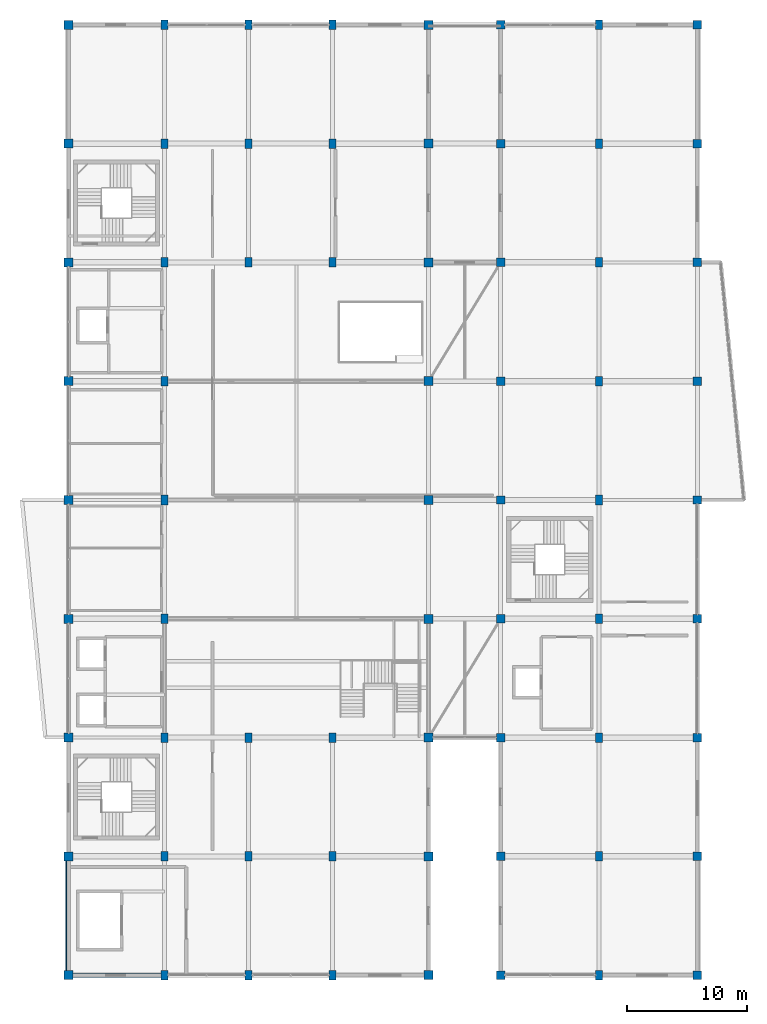
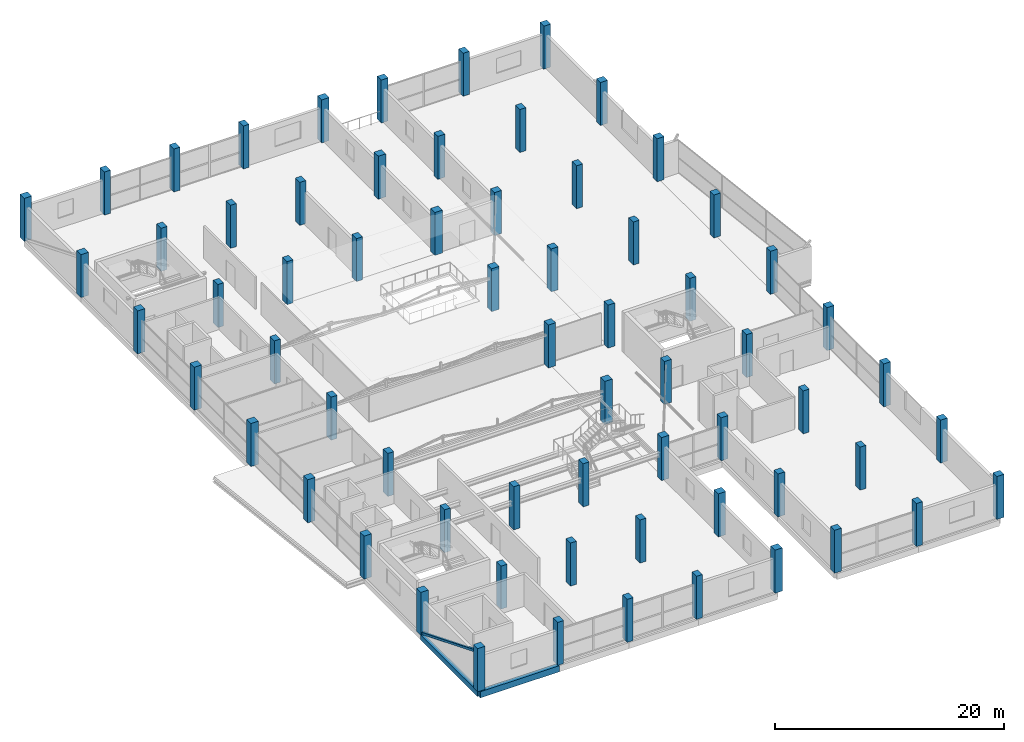
# One storey, part 1 of 55: 66 columns, 2 beams, 1 member.
"""IFC4 building model written with IfcOpenShell, lengths in metres."""

import ifcopenshell
import ifcopenshell.guid

model = None  # the IFC model being written
_history = None  # IfcOwnerHistory: only IFC2X3 demands one
_inside = {}  # id of a spatial element -> (the spatial element, [elements in it])
_under = {}  # id of a project, library or spatial element -> (it, [spatial elements below it])
_declared = {}  # id of a project -> (the project, [libraries it declares])
_typed = {}  # id of a type object -> (the type object, [elements of that type])
_made_of = {}  # id of a material, layer set ... -> (it, [elements and type objects made of it])


def new_model(schema):
    """Start an empty IFC model of exactly this schema.

    Asked for "IFC4X3", IfcOpenShell would pick the latest addendum, in which some entities
    have other attributes; the version numbers below select the first issue.
    IFC2X3 requires an IfcOwnerHistory on every rooted entity: one is made here for all.
    """
    global model, _history
    if schema == "IFC4X3":
        model = ifcopenshell.file(schema_version=(4, 3, 0, 0))
    else:
        model = ifcopenshell.file(schema=schema)
    _inside.clear()
    _under.clear()
    _declared.clear()
    _typed.clear()
    _made_of.clear()
    _history = None
    if model.schema == "IFC2X3":
        org = make("IfcOrganization", Name="unknown")
        user = make(
            "IfcPersonAndOrganization",
            ThePerson=make("IfcPerson", FamilyName="unknown"),
            TheOrganization=org,
        )
        app = make(
            "IfcApplication",
            ApplicationDeveloper=org,
            Version="unknown",
            ApplicationFullName="unknown",
            ApplicationIdentifier="unknown",
        )
        _history = make(
            "IfcOwnerHistory",
            OwningUser=user,
            OwningApplication=app,
            ChangeAction="ADDED",
            CreationDate=0,
        )
    return model


def make(cls, **values):
    """One entity of the class cls with the attributes given. An attribute that is None is left unset."""
    return model.create_entity(
        cls, **{name: value for name, value in values.items() if value is not None}
    )


def rooted(cls, **values):
    """An entity with a GlobalId (a new one), such as an element, a storey or a relation."""
    return make(cls, GlobalId=ifcopenshell.guid.new(), OwnerHistory=_history, **values)


def si_unit(unit_type, name, prefix=None):
    """IfcSIUnit, for example si_unit("LENGTHUNIT", "METRE", prefix="MILLI")."""
    return make("IfcSIUnit", UnitType=unit_type, Prefix=prefix, Name=name)


def assignment(units):
    """IfcUnitAssignment: the units of a project."""
    return None if units is None else make("IfcUnitAssignment", Units=units)


def point(xyz):
    """IfcCartesianPoint."""
    return None if xyz is None else make("IfcCartesianPoint", Coordinates=xyz)


def direction(xyz):
    """IfcDirection."""
    return None if xyz is None else make("IfcDirection", DirectionRatios=xyz)


def frame(location, z_axis=None, x_axis=None):
    """IfcAxis2Placement3D, a coordinate frame: its origin and axes. An axis left out is left unset."""
    return make(
        "IfcAxis2Placement3D",
        Location=point(location),
        Axis=direction(z_axis),
        RefDirection=direction(x_axis),
    )


def frame_2d(location, x_axis=None):
    """IfcAxis2Placement2D, a coordinate frame in the plane: its origin and x axis."""
    return make(
        "IfcAxis2Placement2D", Location=point(location), RefDirection=direction(x_axis)
    )


def origin():
    """The frame at (0, 0, 0) with its axes left unset."""
    return frame((0.0, 0.0, 0.0))


def origin_2d():
    """The frame at (0, 0) in the plane with its x axis left unset."""
    return frame_2d((0.0, 0.0))


def place(relative_to, where):
    """IfcLocalPlacement: puts the frame where relative to a parent placement (None: the world)."""
    return make(
        "IfcLocalPlacement", PlacementRelTo=relative_to, RelativePlacement=where
    )


def context(
    kind, dimensions, precision=None, world=None, true_north=None, identifier=None
):
    """IfcGeometricRepresentationContext, for example the 3D "Model" context."""
    return make(
        "IfcGeometricRepresentationContext",
        ContextIdentifier=identifier,
        ContextType=kind,
        CoordinateSpaceDimension=dimensions,
        Precision=precision,
        WorldCoordinateSystem=world,
        TrueNorth=true_north,
    )


def subcontext(parent, identifier, kind, view, scale=None):
    """IfcGeometricRepresentationSubContext, for example "Body" below "Model"."""
    return make(
        "IfcGeometricRepresentationSubContext",
        ContextIdentifier=identifier,
        ContextType=kind,
        ParentContext=parent,
        TargetScale=scale,
        TargetView=view,
    )


def project(units=None, contexts=None):
    """IfcProject with its units and contexts."""
    return rooted(
        "IfcProject",
        Name="project",
        RepresentationContexts=contexts,
        UnitsInContext=assignment(units),
    )


def spatial(cls, under=None, at=None, **own):
    """A site, building, storey or space (cls), placed at a placement, below another one or the project."""
    s = rooted(cls, ObjectPlacement=at, **own)
    if under is not None:
        _under.setdefault(under.id(), (under, []))[1].append(s)
    return s


def profile(cls, at=None, kind="AREA", **sizes):
    """A parametric profile (cls). Its sizes go by their IFC names, for example OverallWidth=200.0."""
    return make(cls, ProfileType=kind, Position=at, **sizes)


def rectangle(**sizes):
    """IfcRectangleProfileDef."""
    return profile("IfcRectangleProfileDef", **sizes)


def hollow_rectangle(**sizes):
    """IfcRectangleHollowProfileDef."""
    return profile("IfcRectangleHollowProfileDef", **sizes)


def extrude(swept, where, along, depth):
    """IfcExtrudedAreaSolid: the profile swept, set in the frame where, extruded along a direction by depth."""
    return make(
        "IfcExtrudedAreaSolid",
        SweptArea=swept,
        Position=where,
        ExtrudedDirection=direction(along),
        Depth=depth,
    )


def shape(context_of_items, identifier, shape_type, items):
    """IfcShapeRepresentation: the items that make up one representation, for example the "Body"."""
    return make(
        "IfcShapeRepresentation",
        ContextOfItems=context_of_items,
        RepresentationIdentifier=identifier,
        RepresentationType=shape_type,
        Items=items,
    )


def material(Name=None, Category=None):
    """IfcMaterial."""
    return make("IfcMaterial", Name=Name, Category=Category)


def material_profile(
    of_material, cross_section, Name=None, Category=None, Priority=None
):
    """IfcMaterialProfile: a cross section and its material."""
    return make(
        "IfcMaterialProfile",
        Name=Name,
        Material=of_material,
        Profile=cross_section,
        Priority=Priority,
        Category=Category,
    )


def profile_set(profiles, Name=None, composite=None):
    """IfcMaterialProfileSet."""
    return make(
        "IfcMaterialProfileSet",
        Name=Name,
        MaterialProfiles=profiles,
        CompositeProfile=composite,
    )


def made_of(thing, what):
    """Note that an element or type object is made of a material, layer set ...; save() writes the relation."""
    if what is not None:
        _made_of.setdefault(what.id(), (what, []))[1].append(thing)
    return thing


def type_object(cls, material=None, **own):
    """A type object (cls), such as IfcWallType, which elements share."""
    return made_of(rooted(cls, **own), material)


def element(
    cls,
    number,
    at=None,
    inside=None,
    cuts=None,
    type_object=None,
    material=None,
    context=None,
    identifier="Body",
    shape_type=None,
    held_by="IfcProductDefinitionShape",
    body=None,
    shapes=None,
    **own,
):
    """One element of the class cls, such as IfcWall. Its Tag is "e" and its number.

    at: its placement. inside: the storey or other place that contains it. cuts: it is an
    opening in that element (IfcRelVoidsElement). A single representation is given by context,
    identifier, shape_type and body (its items); several are given by shapes. held_by: the class
    of the entity that holds the representations. save() writes the other relations.
    """
    e = rooted(cls, Tag="e%d" % number, ObjectPlacement=at, **own)
    if body is not None:
        shapes = [shape(context, identifier, shape_type, body)]
    if shapes is not None:
        e.Representation = make(held_by, Representations=shapes)
    if inside is not None:
        _inside.setdefault(inside.id(), (inside, []))[1].append(e)
    if cuts is not None:
        rooted(
            "IfcRelVoidsElement", RelatingBuildingElement=cuts, RelatedOpeningElement=e
        )
    if type_object is not None:
        _typed.setdefault(type_object.id(), (type_object, []))[1].append(e)
    return made_of(e, material)


def aggregate(whole, parts):
    """IfcRelAggregates: a whole, such as a stair, and the parts it consists of."""
    return rooted("IfcRelAggregates", RelatingObject=whole, RelatedObjects=parts)


def save(model, path):
    """Write the relations noted so far, then the file.

    IfcRelAggregates (storeys below a building ...), IfcRelContainedInSpatialStructure (elements
    in a storey), IfcRelDefinesByType, IfcRelAssociatesMaterial and IfcRelDeclares: one each for
    every whole, place, type object, material and project.
    """
    for whole, parts in _under.values():
        aggregate(whole, parts)
    for where, things in _inside.values():
        rooted(
            "IfcRelContainedInSpatialStructure",
            RelatedElements=things,
            RelatingStructure=where,
        )
    for kind, things in _typed.values():
        rooted("IfcRelDefinesByType", RelatedObjects=things, RelatingType=kind)
    for what, things in _made_of.values():
        rooted("IfcRelAssociatesMaterial", RelatedObjects=things, RelatingMaterial=what)
    for by, libraries in _declared.values():
        rooted("IfcRelDeclares", RelatingContext=by, RelatedDefinitions=libraries)
    model.write(path)


model = new_model("IFC4")

# Units and contexts
model_context = context("Model", 3, precision=1e-05, world=origin(), true_north=direction((0.0, 1.0)))
body_context = subcontext(model_context, "Body", "Model", "MODEL_VIEW")
ifc_project = project(units=[si_unit("LENGTHUNIT", "METRE"), si_unit("AREAUNIT", "SQUARE_METRE"), si_unit("VOLUMEUNIT", "CUBIC_METRE"), si_unit("PLANEANGLEUNIT", "RADIAN"), si_unit("MASSUNIT", "GRAM", prefix="KILO")], contexts=[model_context])

# Site, building, storey
site_placement = place(None, origin())
site = spatial("IfcSite", under=ifc_project, at=site_placement, CompositionType="ELEMENT")
building_placement = place(site_placement, origin())
building = spatial("IfcBuilding", under=site, at=building_placement, Name="Sillaruma Civic Art Gallery", CompositionType="ELEMENT")
storey_placement = place(building_placement, frame((0.0, 0.0, 37.739990234375)))
storey = spatial("IfcBuildingStorey", under=building, at=storey_placement, Name="L07", CompositionType="ELEMENT", Elevation=37.739990234375)

# Columns
ifc_material_1 = material(Name="Concrete H40 (40 MPa)", Category="concrete")
ifc_material_profile_1 = material_profile(ifc_material_1, rectangle(XDim=0.699951171875, YDim=0.699951171875, at=origin_2d()), Name="RC700x700")
ifc_profile_set_1 = profile_set([ifc_material_profile_1], Name="Concrete H40 (40 MPa)")
column_type_1 = type_object("IfcColumnType", Name="COL-COLUMN-RC700x700", PredefinedType="COLUMN", material=ifc_profile_set_1)
for number, where, z_axis, x_axis, name in (
    (1, (98.0, 19.800048828125, 0.0), (0.0, 0.0, 1.0), (1.0, 0.0, 0.0), "Column C-06 (L07:L3)"),
    (2, (98.0, 29.699951171875, 0.0), (0.0, 0.0, 1.0), (1.0, 0.0, 0.0), "Column C-06 (L07:L4)"),
    (3, (98.0, 39.60009765625, 0.0), (0.0, 0.0, 1.0), (1.0, 0.0, 0.0), "Column C-06 (L07:L5)"),
    (4, (98.0, 49.5, 0.0), (0.0, 0.0, 1.0), (1.0, 0.0, 0.0), "Column C-06 (L07:L6)"),
    (5, (98.0, 59.39990234375, 0.0), (0.0, 0.0, 1.0), (1.0, 0.0, 0.0), "Column C-06 (L07:L7)"),
    (6, (98.0, 69.300048828125, 0.0), (0.0, 0.0, 1.0), (1.0, 0.0, 0.0), "Column C-06 (L07:L8)"),
    (7, (98.0, 79.199951171875, 0.0), (0.0, 0.0, 1.0), (1.0, 0.0, 0.0), "Column C-06 (L07:L9)"),
    (8, (98.0, 89.10009765625, 0.0), (0.0, 0.0, 1.0), (1.0, 0.0, 0.0), "Column C-06 (L07:L10)"),
    (9, (98.0, 99.0, 0.0), (0.0, 0.0, 1.0), (1.0, 0.0, 0.0), "Column C-06 (L07:L11)"),
    (10, (114.39990234375, 19.800048828125, 0.0), (0.0, 0.0, 1.0), (1.0, 0.0, 0.0), "Column C-06 (L07:N3)"),
    (11, (114.39990234375, 29.699951171875, 0.0), (0.0, 0.0, 1.0), (1.0, 0.0, 0.0), "Column C-06 (L07:N4)"),
    (12, (114.39990234375, 39.60009765625, 0.0), (0.0, 0.0, 1.0), (1.0, 0.0, 0.0), "Column C-06 (L07:N5)"),
    (13, (114.39990234375, 49.5, 0.0), (0.0, 0.0, 1.0), (1.0, 0.0, 0.0), "Column C-06 (L07:N6)"),
    (14, (114.39990234375, 59.39990234375, 0.0), (0.0, 0.0, 1.0), (1.0, 0.0, 0.0), "Column C-06 (L07:N7)"),
    (15, (114.39990234375, 69.300048828125, 0.0), (0.0, 0.0, 1.0), (1.0, 0.0, 0.0), "Column C-06 (L07:N8)"),
    (16, (114.39990234375, 79.199951171875, 0.0), (0.0, 0.0, 1.0), (1.0, 0.0, 0.0), "Column C-06 (L07:N9)"),
    (17, (114.39990234375, 89.10009765625, 0.0), (0.0, 0.0, 1.0), (1.0, 0.0, 0.0), "Column C-06 (L07:N10)"),
    (18, (114.39990234375, 99.0, 0.0), (0.0, 0.0, 1.0), (1.0, 0.0, 0.0), "Column C-06 (L07:N11)"),
):
    element("IfcColumn", number, at=place(storey_placement, frame(where, z_axis=z_axis, x_axis=x_axis)), inside=storey, type_object=column_type_1, Name=name, PredefinedType="COLUMN", context=body_context, shape_type="SweptSolid", body=[
        extrude(rectangle(XDim=0.699951171875, YDim=0.699951171875, at=origin_2d()), origin(), (0.0, 0.0, 1.0), 4.590087890625),
    ])
ifc_material_profile_2 = material_profile(ifc_material_1, rectangle(XDim=0.75, YDim=0.75, at=origin_2d()), Name="RC750x750")
ifc_profile_set_2 = profile_set([ifc_material_profile_2], Name="Concrete H40 (40 MPa)")
column_type_2 = type_object("IfcColumnType", Name="COL-COLUMN-RC750x750", PredefinedType="COLUMN", material=ifc_profile_set_2)
for number, where, z_axis, x_axis, name in (
    (19, (62.0, 19.800048828125, 0.0), (0.0, 0.0, 1.0), (1.0, 0.0, 0.0), "Column C-05 (L07:F3)"),
    (20, (62.0, 29.699951171875, 0.0), (0.0, 0.0, 1.0), (1.0, 0.0, 0.0), "Column C-05 (L07:F4)"),
    (21, (62.0, 39.60009765625, 0.0), (0.0, 0.0, 1.0), (1.0, 0.0, 0.0), "Column C-05 (L07:F5)"),
    (22, (62.0, 49.5, 0.0), (0.0, 0.0, 1.0), (1.0, 0.0, 0.0), "Column C-05 (L07:F6)"),
    (23, (62.0, 59.39990234375, 0.0), (0.0, 0.0, 1.0), (1.0, 0.0, 0.0), "Column C-05 (L07:F7)"),
    (24, (62.0, 69.300048828125, 0.0), (0.0, 0.0, 1.0), (1.0, 0.0, 0.0), "Column C-05 (L07:F8)"),
    (25, (62.0, 79.199951171875, 0.0), (0.0, 0.0, 1.0), (1.0, 0.0, 0.0), "Column C-05 (L07:F9)"),
    (26, (62.0, 89.10009765625, 0.0), (0.0, 0.0, 1.0), (1.0, 0.0, 0.0), "Column C-05 (L07:F10)"),
    (27, (62.0, 99.0, 0.0), (0.0, 0.0, 1.0), (1.0, 0.0, 0.0), "Column C-05 (L07:F11)"),
    (28, (92.0, 19.800048828125, 0.0), (0.0, 0.0, 1.0), (1.0, 0.0, 0.0), "Column C-05 (L07:K3)"),
    (29, (92.0, 29.699951171875, 0.0), (0.0, 0.0, 1.0), (1.0, 0.0, 0.0), "Column C-05 (L07:K4)"),
    (30, (92.0, 39.60009765625, 0.0), (0.0, 0.0, 1.0), (1.0, 0.0, 0.0), "Column C-05 (L07:K5)"),
    (31, (92.0, 49.5, 0.0), (0.0, 0.0, 1.0), (1.0, 0.0, 0.0), "Column C-05 (L07:K6)"),
    (32, (92.0, 59.39990234375, 0.0), (0.0, 0.0, 1.0), (1.0, 0.0, 0.0), "Column C-05 (L07:K7)"),
    (33, (92.0, 69.300048828125, 0.0), (0.0, 0.0, 1.0), (1.0, 0.0, 0.0), "Column C-05 (L07:K8)"),
    (34, (92.0, 79.199951171875, 0.0), (0.0, 0.0, 1.0), (1.0, 0.0, 0.0), "Column C-05 (L07:K9)"),
    (35, (92.0, 89.10009765625, 0.0), (0.0, 0.0, 1.0), (1.0, 0.0, 0.0), "Column C-05 (L07:K10)"),
    (36, (92.0, 99.0, 0.0), (0.0, 0.0, 1.0), (1.0, 0.0, 0.0), "Column C-05 (L07:K11)"),
):
    element("IfcColumn", number, at=place(storey_placement, frame(where, z_axis=z_axis, x_axis=x_axis)), inside=storey, type_object=column_type_2, Name=name, PredefinedType="COLUMN", context=body_context, shape_type="SweptSolid", body=[
        extrude(rectangle(XDim=0.75, YDim=0.75, at=origin_2d()), origin(), (0.0, 0.0, 1.0), 4.590087890625),
    ])
ifc_material_profile_3 = material_profile(ifc_material_1, rectangle(XDim=0.60009765625, YDim=0.800048828125, at=origin_2d()), Name="RC800x600")
ifc_profile_set_3 = profile_set([ifc_material_profile_3], Name="Concrete H40 (40 MPa)")
column_type_3 = type_object("IfcColumnType", Name="COL-COLUMN-RC800x600", PredefinedType="COLUMN", material=ifc_profile_set_3)
for number, where, z_axis, x_axis, name in (
    (37, (70.0, 19.800048828125, 0.0), (0.0, 0.0, 1.0), (1.0, 0.0, 0.0), "Column C-10 (L07:G3)"),
    (38, (70.0, 29.699951171875, 0.0), (0.0, 0.0, 1.0), (1.0, 0.0, 0.0), "Column C-10 (L07:G4)"),
    (39, (70.0, 39.60009765625, 0.0), (0.0, 0.0, 1.0), (1.0, 0.0, 0.0), "Column C-10 (L07:G5)"),
    (40, (70.0, 49.5, 0.0), (0.0, 0.0, 1.0), (1.0, 0.0, 0.0), "Column C-10 (L07:G6)"),
    (41, (70.0, 59.39990234375, 0.0), (0.0, 0.0, 1.0), (1.0, 0.0, 0.0), "Column C-10 (L07:G7)"),
    (42, (70.0, 69.300048828125, 0.0), (0.0, 0.0, 1.0), (1.0, 0.0, 0.0), "Column C-10 (L07:G8)"),
    (43, (70.0, 79.199951171875, 0.0), (0.0, 0.0, 1.0), (1.0, 0.0, 0.0), "Column C-10 (L07:G9)"),
    (44, (70.0, 89.10009765625, 0.0), (0.0, 0.0, 1.0), (1.0, 0.0, 0.0), "Column C-10 (L07:G10)"),
    (45, (70.0, 99.0, 0.0), (0.0, 0.0, 1.0), (1.0, 0.0, 0.0), "Column C-10 (L07:G11)"),
    (46, (77.0, 19.800048828125, 0.0), (0.0, 0.0, 1.0), (1.0, 0.0, 0.0), "Column C-10 (L07:H3)"),
    (47, (77.0, 29.699951171875, 0.0), (0.0, 0.0, 1.0), (1.0, 0.0, 0.0), "Column C-10 (L07:H4)"),
    (48, (77.0, 39.60009765625, 0.0), (0.0, 0.0, 1.0), (1.0, 0.0, 0.0), "Column C-10 (L07:H5)"),
    (49, (77.0, 79.199951171875, 0.0), (0.0, 0.0, 1.0), (1.0, 0.0, 0.0), "Column C-10 (L07:H9)"),
    (50, (77.0, 89.10009765625, 0.0), (0.0, 0.0, 1.0), (1.0, 0.0, 0.0), "Column C-10 (L07:H10)"),
    (51, (77.0, 99.0, 0.0), (0.0, 0.0, 1.0), (1.0, 0.0, 0.0), "Column C-10 (L07:H11)"),
    (52, (84.0, 19.800048828125, 0.0), (0.0, 0.0, 1.0), (1.0, 0.0, 0.0), "Column C-10 (L07:J3)"),
    (53, (84.0, 29.699951171875, 0.0), (0.0, 0.0, 1.0), (1.0, 0.0, 0.0), "Column C-10 (L07:J4)"),
    (54, (84.0, 39.60009765625, 0.0), (0.0, 0.0, 1.0), (1.0, 0.0, 0.0), "Column C-10 (L07:J5)"),
    (55, (84.0, 79.199951171875, 0.0), (0.0, 0.0, 1.0), (1.0, 0.0, 0.0), "Column C-10 (L07:J9)"),
    (56, (84.0, 89.10009765625, 0.0), (0.0, 0.0, 1.0), (1.0, 0.0, 0.0), "Column C-10 (L07:J10)"),
    (57, (84.0, 99.0, 0.0), (0.0, 0.0, 1.0), (1.0, 0.0, 0.0), "Column C-10 (L07:J11)"),
    (58, (106.199951171875, 19.800048828125, 0.0), (0.0, 0.0, 1.0), (1.0, 0.0, 0.0), "Column C-10 (L07:M3)"),
    (59, (106.199951171875, 29.699951171875, 0.0), (0.0, 0.0, 1.0), (1.0, 0.0, 0.0), "Column C-10 (L07:M4)"),
    (60, (106.199951171875, 39.60009765625, 0.0), (0.0, 0.0, 1.0), (1.0, 0.0, 0.0), "Column C-10 (L07:M5)"),
    (61, (106.199951171875, 49.5, 0.0), (0.0, 0.0, 1.0), (1.0, 0.0, 0.0), "Column C-10 (L07:M6)"),
    (62, (106.199951171875, 59.39990234375, 0.0), (0.0, 0.0, 1.0), (1.0, 0.0, 0.0), "Column C-10 (L07:M7)"),
    (63, (106.199951171875, 69.300048828125, 0.0), (0.0, 0.0, 1.0), (1.0, 0.0, 0.0), "Column C-10 (L07:M8)"),
    (64, (106.199951171875, 79.199951171875, 0.0), (0.0, 0.0, 1.0), (1.0, 0.0, 0.0), "Column C-10 (L07:M9)"),
    (65, (106.199951171875, 89.10009765625, 0.0), (0.0, 0.0, 1.0), (1.0, 0.0, 0.0), "Column C-10 (L07:M10)"),
    (66, (106.199951171875, 99.0, 0.0), (0.0, 0.0, 1.0), (1.0, 0.0, 0.0), "Column C-10 (L07:M11)"),
):
    element("IfcColumn", number, at=place(storey_placement, frame(where, z_axis=z_axis, x_axis=x_axis)), inside=storey, type_object=column_type_3, Name=name, PredefinedType="COLUMN", context=body_context, shape_type="SweptSolid", body=[
        extrude(rectangle(XDim=0.60009765625, YDim=0.800048828125, at=origin_2d()), origin(), (0.0, 0.0, 1.0), 4.590087890625),
    ])

# Beams
ifc_material_2 = material(Name="Concrete H35 (35 MPa)", Category="concrete")
ifc_material_profile_4 = material_profile(ifc_material_2, rectangle(XDim=0.35009765625, YDim=0.550048828125, at=origin_2d()), Name="RCB350x550")
ifc_profile_set_4 = profile_set([ifc_material_profile_4], Name="Concrete H35 (35 MPa)")
beam_type_1 = type_object("IfcBeamType", Name="BM-SPANDREL-RCB350x550", PredefinedType="SPANDREL", material=ifc_profile_set_4)
beam_1_placement = place(storey_placement, frame((62.0, 19.800048828125, -0.514892578125), z_axis=(0.0, 1.0, 0.0), x_axis=(-1.0, 0.0, 0.0)))
element("IfcBeam", 67, at=beam_1_placement, inside=storey, type_object=beam_type_1, Name="Beam BS-04 (L06:F:3-4)", PredefinedType="SPANDREL", context=body_context, shape_type="SweptSolid", body=[
    extrude(rectangle(XDim=0.35009765625, YDim=0.550048828125, at=origin_2d()), origin(), (0.0, 0.0, 1.0), 9.89990234375),
])
ifc_material_profile_5 = material_profile(ifc_material_2, rectangle(XDim=0.39990234375, YDim=0.64990234375, at=origin_2d()), Name="RCB400x650")
ifc_profile_set_5 = profile_set([ifc_material_profile_5], Name="Concrete H35 (35 MPa)")
beam_type_2 = type_object("IfcBeamType", Name="BM-SPANDREL-RCB400x650", PredefinedType="SPANDREL", material=ifc_profile_set_5)
beam_2_placement = place(storey_placement, frame((62.0, 19.800048828125, -0.56494140625), z_axis=(1.0, 0.0, 0.0), x_axis=(0.0, 1.0, 0.0)))
element("IfcBeam", 68, at=beam_2_placement, inside=storey, type_object=beam_type_2, Name="Beam BS-02 (L06:3:F-G)", PredefinedType="SPANDREL", context=body_context, shape_type="SweptSolid", body=[
    extrude(rectangle(XDim=0.39990234375, YDim=0.64990234375, at=origin_2d()), origin(), (0.0, 0.0, 1.0), 8.0),
])

# Member
ifc_material_3 = material(Name="Structural Steel ASTM A500 Gr.C", Category="steel")
ifc_material_profile_6 = material_profile(ifc_material_3, hollow_rectangle(XDim=0.25, YDim=0.25, WallThickness=0.012451171875, InnerFilletRadius=0.012451171875, OuterFilletRadius=0.02490234375, at=origin_2d()), Name="HSS250x250x12.5")
ifc_profile_set_6 = profile_set([ifc_material_profile_6], Name="Structural Steel ASTM A500 Gr.C")
member_type = type_object("IfcMemberType", Name="MEM-MEGA-BRACE", PredefinedType="BRACE", material=ifc_profile_set_6)
member_placement = place(storey_placement, frame((61.85009765625, 29.52001953125, 0.10009765625), z_axis=(0.0, -0.927000235478, 0.375060746312), x_axis=(1.0, 0.0, 0.0)))
element("IfcMember", 69, at=member_placement, inside=storey, type_object=member_type, Name="Exterior Expressed Gallery Seismic Diagonal Brace (L07-WS)", PredefinedType="BRACE", context=body_context, shape_type="SweptSolid", body=[
    extrude(hollow_rectangle(XDim=0.25, YDim=0.25, WallThickness=0.012451171875, InnerFilletRadius=0.012451171875, OuterFilletRadius=0.02490234375, at=origin_2d()), origin(), (0.0, 0.0, 1.0), 10.291259765625),
])

save(model, "model.ifc")
